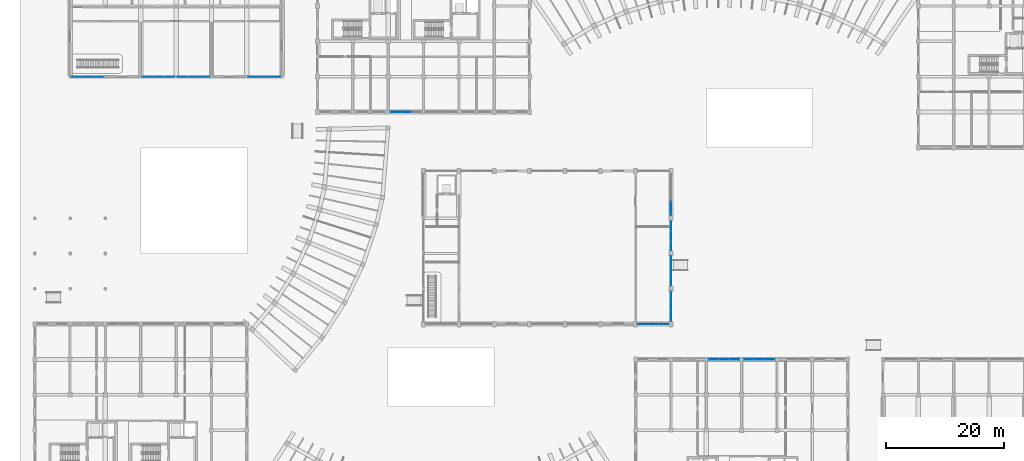
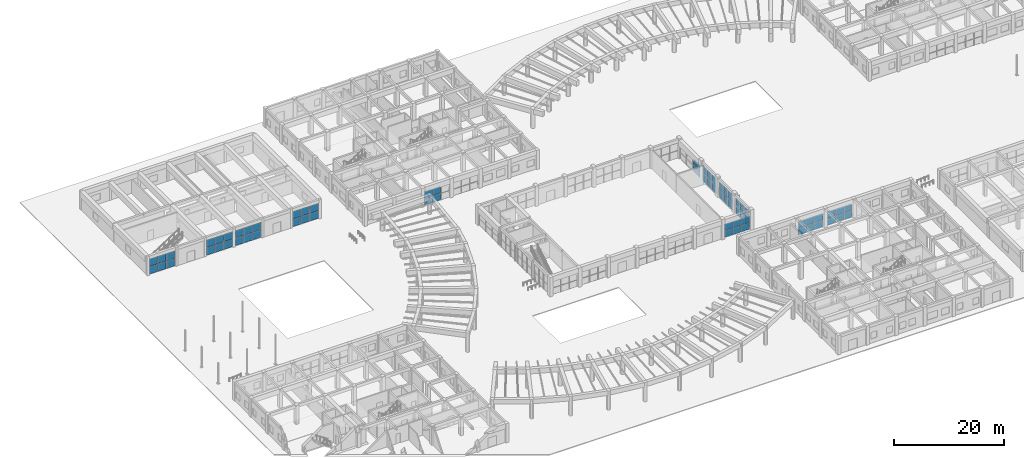
# One storey, part 41 of 76: 66 plates, 12 elements without a shape of their own.
"""IFC4 building model written with IfcOpenShell, lengths in metres."""

from ifc_helpers import new_model, si_unit, direction, frame, origin, origin_2d, place, context, subcontext, project, spatial, rectangle, extrude, material, layer, layer_set, type_object, element, aggregate, save


model = new_model("IFC4")

# Units and contexts
model_context = context("Model", 3, precision=1e-05, world=origin(), true_north=direction((0.0, 1.0)))
body_context = subcontext(model_context, "Body", "Model", "MODEL_VIEW")
ifc_project = project(units=[si_unit("LENGTHUNIT", "METRE"), si_unit("AREAUNIT", "SQUARE_METRE"), si_unit("VOLUMEUNIT", "CUBIC_METRE"), si_unit("PLANEANGLEUNIT", "RADIAN"), si_unit("MASSUNIT", "GRAM", prefix="KILO"), si_unit("POWERUNIT", "WATT"), si_unit("THERMODYNAMICTEMPERATUREUNIT", "KELVIN")], contexts=[model_context])

# Site, building, storey
site_placement = place(None, origin())
site = spatial("IfcSite", under=ifc_project, at=site_placement, CompositionType="ELEMENT")
building_placement = place(site_placement, origin())
building = spatial("IfcBuilding", under=site, at=building_placement, Name="Ruvembo Vaulted Housing Court", CompositionType="ELEMENT")
storey_placement = place(building_placement, origin())
storey = spatial("IfcBuildingStorey", under=building, at=storey_placement, Name="L00", CompositionType="ELEMENT", Elevation=0.0)

# Curtain wall, plates
ifc_material_1 = material(Name="Anodised Aluminium and Solar-Control Glass", Category="aluminium")
ifc_layer_1 = layer(ifc_material_1, 0.159912109375, Name="Anodised Aluminium and Solar-Control Glass")
ifc_layer_set_1 = layer_set([ifc_layer_1], Name="Anodised Aluminium and Solar-Control Glass")
curtain_wall_type_1 = type_object("IfcCurtainWallType", Name="CW-LOBBY", PredefinedType="NOTDEFINED", material=ifc_layer_set_1)
curtain_wall_1_placement = place(storey_placement, origin())
curtain_wall_1 = element("IfcCurtainWall", 1, at=curtain_wall_1_placement, inside=storey, type_object=curtain_wall_type_1, Name="L00 Curtain Wall CW-L00-0003", PredefinedType="NOTDEFINED")
ifc_material_2 = material(Name="Solar-Control Laminated Insulating Glass", Category="glass")
ifc_layer_2 = layer(ifc_material_2, 0.035888671875, Name="Solar-Control Laminated Insulating Glass")
ifc_layer_set_2 = layer_set([ifc_layer_2], Name="Solar-Control Laminated Insulating Glass")
plate_type_1 = type_object("IfcPlateType", Name="CW-PANEL-ACOUST", PredefinedType="CURTAIN_PANEL", material=ifc_layer_set_2)
plate_1_placement = place(storey_placement, frame((61.2470703125, 78.0, 0.06005859375), z_axis=(0.0, 0.0, 1.0), x_axis=(1.0, 0.0, 0.0)))
plate_1 = element("IfcPlate", 2, at=plate_1_placement, type_object=plate_type_1, Name="CW5 panel 1.1", PredefinedType="CURTAIN_PANEL", context=body_context, shape_type="SweptSolid", body=[
    extrude(rectangle(XDim=1.68408203125, YDim=0.035888671875, at=origin_2d()), origin(), (0.0, 0.0, 1.0), 1.466064453125),
])
plate_2_placement = place(storey_placement, frame((61.2470703125, 78.0, 1.5859375), z_axis=(0.0, 0.0, 1.0), x_axis=(1.0, 0.0, 0.0)))
plate_2 = element("IfcPlate", 3, at=plate_2_placement, type_object=plate_type_1, Name="CW5 panel 1.2", PredefinedType="CURTAIN_PANEL", context=body_context, shape_type="SweptSolid", body=[
    extrude(rectangle(XDim=1.68408203125, YDim=0.035888671875, at=origin_2d()), origin(), (0.0, 0.0, 1.0), 1.466064453125),
])
plate_3_placement = place(storey_placement, frame((63.0, 78.0, 0.06005859375), z_axis=(0.0, 0.0, 1.0), x_axis=(1.0, 0.0, 0.0)))
plate_3 = element("IfcPlate", 4, at=plate_3_placement, type_object=plate_type_1, Name="CW5 panel 2.1", PredefinedType="CURTAIN_PANEL", context=body_context, shape_type="SweptSolid", body=[
    extrude(rectangle(XDim=1.711669921875, YDim=0.035888671875, at=origin_2d()), origin(), (0.0, 0.0, 1.0), 1.466064453125),
])
plate_4_placement = place(storey_placement, frame((63.0, 78.0, 1.5859375), z_axis=(0.0, 0.0, 1.0), x_axis=(1.0, 0.0, 0.0)))
plate_4 = element("IfcPlate", 5, at=plate_4_placement, type_object=plate_type_1, Name="CW5 panel 2.2", PredefinedType="CURTAIN_PANEL", context=body_context, shape_type="SweptSolid", body=[
    extrude(rectangle(XDim=1.711669921875, YDim=0.035888671875, at=origin_2d()), origin(), (0.0, 0.0, 1.0), 1.466064453125),
])
aggregate(curtain_wall_1, [plate_1, plate_2, plate_3, plate_4])

curtain_wall_2_placement = place(storey_placement, origin())
curtain_wall_2 = element("IfcCurtainWall", 6, at=curtain_wall_2_placement, inside=storey, type_object=curtain_wall_type_1, Name="L00 Curtain Wall CW-L00-0006", PredefinedType="NOTDEFINED")
plate_5_placement = place(storey_placement, frame((118.75048828125, 36.0, 0.06005859375), z_axis=(0.0, 0.0, 1.0), x_axis=(-1.0, 0.0, 0.0)))
plate_5 = element("IfcPlate", 7, at=plate_5_placement, type_object=plate_type_1, Name="CW5 panel 1.1", PredefinedType="CURTAIN_PANEL", context=body_context, shape_type="SweptSolid", body=[
    extrude(rectangle(XDim=1.669189453125, YDim=0.035888671875, at=origin_2d()), origin(), (0.0, 0.0, 1.0), 1.466064453125),
])
plate_6_placement = place(storey_placement, frame((118.75048828125, 36.0, 1.5859375), z_axis=(0.0, 0.0, 1.0), x_axis=(-1.0, 0.0, 0.0)))
plate_6 = element("IfcPlate", 8, at=plate_6_placement, type_object=plate_type_1, Name="CW5 panel 1.2", PredefinedType="CURTAIN_PANEL", context=body_context, shape_type="SweptSolid", body=[
    extrude(rectangle(XDim=1.669189453125, YDim=0.035888671875, at=origin_2d()), origin(), (0.0, 0.0, 1.0), 1.466064453125),
])
plate_7_placement = place(storey_placement, frame((117.0, 36.0, 0.06005859375), z_axis=(0.0, 0.0, 1.0), x_axis=(-1.0, 0.0, 0.0)))
plate_7 = element("IfcPlate", 9, at=plate_7_placement, type_object=plate_type_1, Name="CW5 panel 2.1", PredefinedType="CURTAIN_PANEL", context=body_context, shape_type="SweptSolid", body=[
    extrude(rectangle(XDim=1.70166015625, YDim=0.035888671875, at=origin_2d()), origin(), (0.0, 0.0, 1.0), 1.466064453125),
])
plate_8_placement = place(storey_placement, frame((117.0, 36.0, 1.5859375), z_axis=(0.0, 0.0, 1.0), x_axis=(-1.0, 0.0, 0.0)))
plate_8 = element("IfcPlate", 10, at=plate_8_placement, type_object=plate_type_1, Name="CW5 panel 2.2", PredefinedType="CURTAIN_PANEL", context=body_context, shape_type="SweptSolid", body=[
    extrude(rectangle(XDim=1.70166015625, YDim=0.035888671875, at=origin_2d()), origin(), (0.0, 0.0, 1.0), 1.466064453125),
])
plate_9_placement = place(storey_placement, frame((115.24951171875, 36.0, 0.06005859375), z_axis=(0.0, 0.0, 1.0), x_axis=(-1.0, 0.0, 0.0)))
plate_9 = element("IfcPlate", 11, at=plate_9_placement, type_object=plate_type_1, Name="CW5 panel 3.1", PredefinedType="CURTAIN_PANEL", context=body_context, shape_type="SweptSolid", body=[
    extrude(rectangle(XDim=1.669189453125, YDim=0.035888671875, at=origin_2d()), origin(), (0.0, 0.0, 1.0), 1.466064453125),
])
plate_10_placement = place(storey_placement, frame((115.24951171875, 36.0, 1.5859375), z_axis=(0.0, 0.0, 1.0), x_axis=(-1.0, 0.0, 0.0)))
plate_10 = element("IfcPlate", 12, at=plate_10_placement, type_object=plate_type_1, Name="CW5 panel 3.2", PredefinedType="CURTAIN_PANEL", context=body_context, shape_type="SweptSolid", body=[
    extrude(rectangle(XDim=1.669189453125, YDim=0.035888671875, at=origin_2d()), origin(), (0.0, 0.0, 1.0), 1.466064453125),
])
aggregate(curtain_wall_2, [plate_5, plate_6, plate_7, plate_8, plate_9, plate_10])

ifc_layer_3 = layer(ifc_material_1, 0.179931640625, Name="Anodised Aluminium and Solar-Control Glass")
ifc_layer_set_3 = layer_set([ifc_layer_3], Name="Anodised Aluminium and Solar-Control Glass")
curtain_wall_type_2 = type_object("IfcCurtainWallType", Name="CW-HALL-TYMP", PredefinedType="NOTDEFINED", material=ifc_layer_set_3)
curtain_wall_3_placement = place(storey_placement, origin())
curtain_wall_3 = element("IfcCurtainWall", 13, at=curtain_wall_3_placement, inside=storey, type_object=curtain_wall_type_2, Name="L00 Curtain Wall CW-L00-0123", PredefinedType="NOTDEFINED")
plate_11_placement = place(storey_placement, frame((108.0, 49.313720703125, 0.06005859375), z_axis=(0.0, 0.0, 1.0), x_axis=(0.0, 1.0, 0.0)))
plate_11 = element("IfcPlate", 14, at=plate_11_placement, type_object=plate_type_1, Name="CW2 panel 1.1", PredefinedType="CURTAIN_PANEL", context=body_context, shape_type="SweptSolid", body=[
    extrude(rectangle(XDim=1.617431640625, YDim=0.035888671875, at=origin_2d()), origin(), (0.0, 0.0, 1.0), 1.69091796875),
])
plate_12_placement = place(storey_placement, frame((108.0, 49.313720703125, 1.81103515625), z_axis=(0.0, 0.0, 1.0), x_axis=(0.0, 1.0, 0.0)))
plate_12 = element("IfcPlate", 15, at=plate_12_placement, type_object=plate_type_1, Name="CW2 panel 1.2", PredefinedType="CURTAIN_PANEL", context=body_context, shape_type="SweptSolid", body=[
    extrude(rectangle(XDim=1.617431640625, YDim=0.035888671875, at=origin_2d()), origin(), (0.0, 0.0, 1.0), 1.69091796875),
])
plate_13_placement = place(storey_placement, frame((108.0, 51.0, 0.06005859375), z_axis=(0.0, 0.0, 1.0), x_axis=(0.0, 1.0, 0.0)))
plate_13 = element("IfcPlate", 16, at=plate_13_placement, type_object=plate_type_1, Name="CW2 panel 2.1", PredefinedType="CURTAIN_PANEL", context=body_context, shape_type="SweptSolid", body=[
    extrude(rectangle(XDim=1.64501953125, YDim=0.035888671875, at=origin_2d()), origin(), (0.0, 0.0, 1.0), 1.69091796875),
])
plate_14_placement = place(storey_placement, frame((108.0, 51.0, 1.81103515625), z_axis=(0.0, 0.0, 1.0), x_axis=(0.0, 1.0, 0.0)))
plate_14 = element("IfcPlate", 17, at=plate_14_placement, type_object=plate_type_1, Name="CW2 panel 2.2", PredefinedType="CURTAIN_PANEL", context=body_context, shape_type="SweptSolid", body=[
    extrude(rectangle(XDim=1.64501953125, YDim=0.035888671875, at=origin_2d()), origin(), (0.0, 0.0, 1.0), 1.69091796875),
])
plate_15_placement = place(storey_placement, frame((108.0, 52.686279296875, 0.06005859375), z_axis=(0.0, 0.0, 1.0), x_axis=(0.0, 1.0, 0.0)))
plate_15 = element("IfcPlate", 18, at=plate_15_placement, type_object=plate_type_1, Name="CW2 panel 3.1", PredefinedType="CURTAIN_PANEL", context=body_context, shape_type="SweptSolid", body=[
    extrude(rectangle(XDim=1.617431640625, YDim=0.035888671875, at=origin_2d()), origin(), (0.0, 0.0, 1.0), 1.69091796875),
])
plate_16_placement = place(storey_placement, frame((108.0, 52.686279296875, 1.81103515625), z_axis=(0.0, 0.0, 1.0), x_axis=(0.0, 1.0, 0.0)))
plate_16 = element("IfcPlate", 19, at=plate_16_placement, type_object=plate_type_1, Name="CW2 panel 3.2", PredefinedType="CURTAIN_PANEL", context=body_context, shape_type="SweptSolid", body=[
    extrude(rectangle(XDim=1.617431640625, YDim=0.035888671875, at=origin_2d()), origin(), (0.0, 0.0, 1.0), 1.69091796875),
])
aggregate(curtain_wall_3, [plate_11, plate_12, plate_13, plate_14, plate_15, plate_16])

ifc_layer_4 = layer(ifc_material_1, 0.139892578125, Name="Anodised Aluminium and Solar-Control Glass")
ifc_layer_set_4 = layer_set([ifc_layer_4], Name="Anodised Aluminium and Solar-Control Glass")
curtain_wall_type_3 = type_object("IfcCurtainWallType", Name="CW-NURSERY-G", PredefinedType="NOTDEFINED", material=ifc_layer_set_4)
curtain_wall_4_placement = place(storey_placement, origin())
curtain_wall_4 = element("IfcCurtainWall", 20, at=curtain_wall_4_placement, inside=storey, type_object=curtain_wall_type_3, Name="L00 Curtain Wall CW-L00-0129", PredefinedType="NOTDEFINED")
plate_17_placement = place(storey_placement, frame((7.1650390625, 84.0, 0.06005859375), z_axis=(0.0, 0.0, 1.0), x_axis=(1.0, 0.0, 0.0)))
plate_17 = element("IfcPlate", 21, at=plate_17_placement, type_object=plate_type_1, Name="CW4 panel 1.1", PredefinedType="CURTAIN_PANEL", context=body_context, shape_type="SweptSolid", body=[
    extrude(rectangle(XDim=1.760009765625, YDim=0.035888671875, at=origin_2d()), origin(), (0.0, 0.0, 1.0), 1.666015625),
])
plate_18_placement = place(storey_placement, frame((7.1650390625, 84.0, 1.785888671875), z_axis=(0.0, 0.0, 1.0), x_axis=(1.0, 0.0, 0.0)))
plate_18 = element("IfcPlate", 22, at=plate_18_placement, type_object=plate_type_1, Name="CW4 panel 1.2", PredefinedType="CURTAIN_PANEL", context=body_context, shape_type="SweptSolid", body=[
    extrude(rectangle(XDim=1.760009765625, YDim=0.035888671875, at=origin_2d()), origin(), (0.0, 0.0, 1.0), 1.666015625),
])
plate_19_placement = place(storey_placement, frame((9.0, 84.0, 0.06005859375), z_axis=(0.0, 0.0, 1.0), x_axis=(1.0, 0.0, 0.0)))
plate_19 = element("IfcPlate", 23, at=plate_19_placement, type_object=plate_type_1, Name="CW4 panel 2.1", PredefinedType="CURTAIN_PANEL", context=body_context, shape_type="SweptSolid", body=[
    extrude(rectangle(XDim=1.7900390625, YDim=0.035888671875, at=origin_2d()), origin(), (0.0, 0.0, 1.0), 1.666015625),
])
plate_20_placement = place(storey_placement, frame((9.0, 84.0, 1.785888671875), z_axis=(0.0, 0.0, 1.0), x_axis=(1.0, 0.0, 0.0)))
plate_20 = element("IfcPlate", 24, at=plate_20_placement, type_object=plate_type_1, Name="CW4 panel 2.2", PredefinedType="CURTAIN_PANEL", context=body_context, shape_type="SweptSolid", body=[
    extrude(rectangle(XDim=1.7900390625, YDim=0.035888671875, at=origin_2d()), origin(), (0.0, 0.0, 1.0), 1.666015625),
])
plate_21_placement = place(storey_placement, frame((10.8349609375, 84.0, 0.06005859375), z_axis=(0.0, 0.0, 1.0), x_axis=(1.0, 0.0, 0.0)))
plate_21 = element("IfcPlate", 25, at=plate_21_placement, type_object=plate_type_1, Name="CW4 panel 3.1", PredefinedType="CURTAIN_PANEL", context=body_context, shape_type="SweptSolid", body=[
    extrude(rectangle(XDim=1.760009765625, YDim=0.035888671875, at=origin_2d()), origin(), (0.0, 0.0, 1.0), 1.666015625),
])
plate_22_placement = place(storey_placement, frame((10.8349609375, 84.0, 1.785888671875), z_axis=(0.0, 0.0, 1.0), x_axis=(1.0, 0.0, 0.0)))
plate_22 = element("IfcPlate", 26, at=plate_22_placement, type_object=plate_type_1, Name="CW4 panel 3.2", PredefinedType="CURTAIN_PANEL", context=body_context, shape_type="SweptSolid", body=[
    extrude(rectangle(XDim=1.760009765625, YDim=0.035888671875, at=origin_2d()), origin(), (0.0, 0.0, 1.0), 1.666015625),
])
aggregate(curtain_wall_4, [plate_17, plate_18, plate_19, plate_20, plate_21, plate_22])

curtain_wall_5_placement = place(storey_placement, origin())
curtain_wall_5 = element("IfcCurtainWall", 27, at=curtain_wall_5_placement, inside=storey, type_object=curtain_wall_type_3, Name="L00 Curtain Wall CW-L00-0132", PredefinedType="NOTDEFINED")
plate_23_placement = place(storey_placement, frame((19.1650390625, 84.0, 0.06005859375), z_axis=(0.0, 0.0, 1.0), x_axis=(1.0, 0.0, 0.0)))
plate_23 = element("IfcPlate", 28, at=plate_23_placement, type_object=plate_type_1, Name="CW4 panel 1.1", PredefinedType="CURTAIN_PANEL", context=body_context, shape_type="SweptSolid", body=[
    extrude(rectangle(XDim=1.760009765625, YDim=0.035888671875, at=origin_2d()), origin(), (0.0, 0.0, 1.0), 1.666015625),
])
plate_24_placement = place(storey_placement, frame((19.1650390625, 84.0, 1.785888671875), z_axis=(0.0, 0.0, 1.0), x_axis=(1.0, 0.0, 0.0)))
plate_24 = element("IfcPlate", 29, at=plate_24_placement, type_object=plate_type_1, Name="CW4 panel 1.2", PredefinedType="CURTAIN_PANEL", context=body_context, shape_type="SweptSolid", body=[
    extrude(rectangle(XDim=1.760009765625, YDim=0.035888671875, at=origin_2d()), origin(), (0.0, 0.0, 1.0), 1.666015625),
])
plate_25_placement = place(storey_placement, frame((21.0, 84.0, 0.06005859375), z_axis=(0.0, 0.0, 1.0), x_axis=(1.0, 0.0, 0.0)))
plate_25 = element("IfcPlate", 30, at=plate_25_placement, type_object=plate_type_1, Name="CW4 panel 2.1", PredefinedType="CURTAIN_PANEL", context=body_context, shape_type="SweptSolid", body=[
    extrude(rectangle(XDim=1.7900390625, YDim=0.035888671875, at=origin_2d()), origin(), (0.0, 0.0, 1.0), 1.666015625),
])
plate_26_placement = place(storey_placement, frame((21.0, 84.0, 1.785888671875), z_axis=(0.0, 0.0, 1.0), x_axis=(1.0, 0.0, 0.0)))
plate_26 = element("IfcPlate", 31, at=plate_26_placement, type_object=plate_type_1, Name="CW4 panel 2.2", PredefinedType="CURTAIN_PANEL", context=body_context, shape_type="SweptSolid", body=[
    extrude(rectangle(XDim=1.7900390625, YDim=0.035888671875, at=origin_2d()), origin(), (0.0, 0.0, 1.0), 1.666015625),
])
plate_27_placement = place(storey_placement, frame((22.8349609375, 84.0, 0.06005859375), z_axis=(0.0, 0.0, 1.0), x_axis=(1.0, 0.0, 0.0)))
plate_27 = element("IfcPlate", 32, at=plate_27_placement, type_object=plate_type_1, Name="CW4 panel 3.1", PredefinedType="CURTAIN_PANEL", context=body_context, shape_type="SweptSolid", body=[
    extrude(rectangle(XDim=1.760009765625, YDim=0.035888671875, at=origin_2d()), origin(), (0.0, 0.0, 1.0), 1.666015625),
])
plate_28_placement = place(storey_placement, frame((22.8349609375, 84.0, 1.785888671875), z_axis=(0.0, 0.0, 1.0), x_axis=(1.0, 0.0, 0.0)))
plate_28 = element("IfcPlate", 33, at=plate_28_placement, type_object=plate_type_1, Name="CW4 panel 3.2", PredefinedType="CURTAIN_PANEL", context=body_context, shape_type="SweptSolid", body=[
    extrude(rectangle(XDim=1.760009765625, YDim=0.035888671875, at=origin_2d()), origin(), (0.0, 0.0, 1.0), 1.666015625),
])
aggregate(curtain_wall_5, [plate_23, plate_24, plate_25, plate_26, plate_27, plate_28])

curtain_wall_6_placement = place(storey_placement, origin())
curtain_wall_6 = element("IfcCurtainWall", 34, at=curtain_wall_6_placement, inside=storey, type_object=curtain_wall_type_1, Name="L00 Curtain Wall CW-L00-0005", PredefinedType="NOTDEFINED")
ifc_layer_5 = layer(ifc_material_2, 0.028076171875, Name="Solar-Control Laminated Insulating Glass")
ifc_layer_set_5 = layer_set([ifc_layer_5], Name="Solar-Control Laminated Insulating Glass")
plate_type_2 = type_object("IfcPlateType", Name="CW-PANEL-GLAZED", PredefinedType="CURTAIN_PANEL", material=ifc_layer_set_5)
plate_29_placement = place(storey_placement, frame((124.751708984375, 36.0, 0.06005859375), z_axis=(0.0, 0.0, 1.0), x_axis=(-1.0, 0.0, 0.0)))
plate_29 = element("IfcPlate", 35, at=plate_29_placement, type_object=plate_type_2, Name="CW5 panel 1.1", PredefinedType="CURTAIN_PANEL", context=body_context, shape_type="SweptSolid", body=[
    extrude(rectangle(XDim=1.6767578125, YDim=0.028076171875, at=origin_2d()), origin(), (0.0, 0.0, 1.0), 1.466064453125),
])
plate_30_placement = place(storey_placement, frame((124.751708984375, 36.0, 1.5859375), z_axis=(0.0, 0.0, 1.0), x_axis=(-1.0, 0.0, 0.0)))
plate_30 = element("IfcPlate", 36, at=plate_30_placement, type_object=plate_type_2, Name="CW5 panel 1.2", PredefinedType="CURTAIN_PANEL", context=body_context, shape_type="SweptSolid", body=[
    extrude(rectangle(XDim=1.6767578125, YDim=0.028076171875, at=origin_2d()), origin(), (0.0, 0.0, 1.0), 1.466064453125),
])
plate_31_placement = place(storey_placement, frame((123.0, 36.0, 0.06005859375), z_axis=(0.0, 0.0, 1.0), x_axis=(-1.0, 0.0, 0.0)))
plate_31 = element("IfcPlate", 37, at=plate_31_placement, type_object=plate_type_2, Name="CW5 panel 2.1", PredefinedType="CURTAIN_PANEL", context=body_context, shape_type="SweptSolid", body=[
    extrude(rectangle(XDim=1.706787109375, YDim=0.028076171875, at=origin_2d()), origin(), (0.0, 0.0, 1.0), 1.466064453125),
])
plate_32_placement = place(storey_placement, frame((123.0, 36.0, 1.5859375), z_axis=(0.0, 0.0, 1.0), x_axis=(-1.0, 0.0, 0.0)))
plate_32 = element("IfcPlate", 38, at=plate_32_placement, type_object=plate_type_2, Name="CW5 panel 2.2", PredefinedType="CURTAIN_PANEL", context=body_context, shape_type="SweptSolid", body=[
    extrude(rectangle(XDim=1.706787109375, YDim=0.028076171875, at=origin_2d()), origin(), (0.0, 0.0, 1.0), 1.466064453125),
])
plate_33_placement = place(storey_placement, frame((121.248291015625, 36.0, 0.06005859375), z_axis=(0.0, 0.0, 1.0), x_axis=(-1.0, 0.0, 0.0)))
plate_33 = element("IfcPlate", 39, at=plate_33_placement, type_object=plate_type_2, Name="CW5 panel 3.1", PredefinedType="CURTAIN_PANEL", context=body_context, shape_type="SweptSolid", body=[
    extrude(rectangle(XDim=1.6767578125, YDim=0.028076171875, at=origin_2d()), origin(), (0.0, 0.0, 1.0), 1.466064453125),
])
plate_34_placement = place(storey_placement, frame((121.248291015625, 36.0, 1.5859375), z_axis=(0.0, 0.0, 1.0), x_axis=(-1.0, 0.0, 0.0)))
plate_34 = element("IfcPlate", 40, at=plate_34_placement, type_object=plate_type_2, Name="CW5 panel 3.2", PredefinedType="CURTAIN_PANEL", context=body_context, shape_type="SweptSolid", body=[
    extrude(rectangle(XDim=1.6767578125, YDim=0.028076171875, at=origin_2d()), origin(), (0.0, 0.0, 1.0), 1.466064453125),
])
aggregate(curtain_wall_6, [plate_29, plate_30, plate_31, plate_32, plate_33, plate_34])

curtain_wall_7_placement = place(storey_placement, origin())
curtain_wall_7 = element("IfcCurtainWall", 41, at=curtain_wall_7_placement, inside=storey, type_object=curtain_wall_type_2, Name="L00 Curtain Wall CW-L00-0125", PredefinedType="NOTDEFINED")
plate_35_placement = place(storey_placement, frame((108.0, 55.31494140625, 0.06005859375), z_axis=(0.0, 0.0, 1.0), x_axis=(0.0, 1.0, 0.0)))
plate_35 = element("IfcPlate", 42, at=plate_35_placement, type_object=plate_type_2, Name="CW2 panel 1.1", PredefinedType="CURTAIN_PANEL", context=body_context, shape_type="SweptSolid", body=[
    extrude(rectangle(XDim=1.610107421875, YDim=0.028076171875, at=origin_2d()), origin(), (0.0, 0.0, 1.0), 1.69091796875),
])
plate_36_placement = place(storey_placement, frame((108.0, 55.31494140625, 1.81103515625), z_axis=(0.0, 0.0, 1.0), x_axis=(0.0, 1.0, 0.0)))
plate_36 = element("IfcPlate", 43, at=plate_36_placement, type_object=plate_type_2, Name="CW2 panel 1.2", PredefinedType="CURTAIN_PANEL", context=body_context, shape_type="SweptSolid", body=[
    extrude(rectangle(XDim=1.610107421875, YDim=0.028076171875, at=origin_2d()), origin(), (0.0, 0.0, 1.0), 1.69091796875),
])
plate_37_placement = place(storey_placement, frame((108.0, 57.0, 0.06005859375), z_axis=(0.0, 0.0, 1.0), x_axis=(0.0, 1.0, 0.0)))
plate_37 = element("IfcPlate", 44, at=plate_37_placement, type_object=plate_type_2, Name="CW2 panel 2.1", PredefinedType="CURTAIN_PANEL", context=body_context, shape_type="SweptSolid", body=[
    extrude(rectangle(XDim=1.639892578125, YDim=0.028076171875, at=origin_2d()), origin(), (0.0, 0.0, 1.0), 1.69091796875),
])
plate_38_placement = place(storey_placement, frame((108.0, 57.0, 1.81103515625), z_axis=(0.0, 0.0, 1.0), x_axis=(0.0, 1.0, 0.0)))
plate_38 = element("IfcPlate", 45, at=plate_38_placement, type_object=plate_type_2, Name="CW2 panel 2.2", PredefinedType="CURTAIN_PANEL", context=body_context, shape_type="SweptSolid", body=[
    extrude(rectangle(XDim=1.639892578125, YDim=0.028076171875, at=origin_2d()), origin(), (0.0, 0.0, 1.0), 1.69091796875),
])
plate_39_placement = place(storey_placement, frame((108.0, 58.68505859375, 0.06005859375), z_axis=(0.0, 0.0, 1.0), x_axis=(0.0, 1.0, 0.0)))
plate_39 = element("IfcPlate", 46, at=plate_39_placement, type_object=plate_type_2, Name="CW2 panel 3.1", PredefinedType="CURTAIN_PANEL", context=body_context, shape_type="SweptSolid", body=[
    extrude(rectangle(XDim=1.610107421875, YDim=0.028076171875, at=origin_2d()), origin(), (0.0, 0.0, 1.0), 1.69091796875),
])
plate_40_placement = place(storey_placement, frame((108.0, 58.68505859375, 1.81103515625), z_axis=(0.0, 0.0, 1.0), x_axis=(0.0, 1.0, 0.0)))
plate_40 = element("IfcPlate", 47, at=plate_40_placement, type_object=plate_type_2, Name="CW2 panel 3.2", PredefinedType="CURTAIN_PANEL", context=body_context, shape_type="SweptSolid", body=[
    extrude(rectangle(XDim=1.610107421875, YDim=0.028076171875, at=origin_2d()), origin(), (0.0, 0.0, 1.0), 1.69091796875),
])
aggregate(curtain_wall_7, [plate_35, plate_36, plate_37, plate_38, plate_39, plate_40])

curtain_wall_8_placement = place(storey_placement, origin())
curtain_wall_8 = element("IfcCurtainWall", 48, at=curtain_wall_8_placement, inside=storey, type_object=curtain_wall_type_3, Name="L00 Curtain Wall CW-L00-0134", PredefinedType="NOTDEFINED")
plate_41_placement = place(storey_placement, frame((25.166259765625, 84.0, 0.06005859375), z_axis=(0.0, 0.0, 1.0), x_axis=(1.0, 0.0, 0.0)))
plate_41 = element("IfcPlate", 49, at=plate_41_placement, type_object=plate_type_2, Name="CW4 panel 1.1", PredefinedType="CURTAIN_PANEL", context=body_context, shape_type="SweptSolid", body=[
    extrude(rectangle(XDim=1.75244140625, YDim=0.028076171875, at=origin_2d()), origin(), (0.0, 0.0, 1.0), 1.666015625),
])
plate_42_placement = place(storey_placement, frame((25.166259765625, 84.0, 1.785888671875), z_axis=(0.0, 0.0, 1.0), x_axis=(1.0, 0.0, 0.0)))
plate_42 = element("IfcPlate", 50, at=plate_42_placement, type_object=plate_type_2, Name="CW4 panel 1.2", PredefinedType="CURTAIN_PANEL", context=body_context, shape_type="SweptSolid", body=[
    extrude(rectangle(XDim=1.75244140625, YDim=0.028076171875, at=origin_2d()), origin(), (0.0, 0.0, 1.0), 1.666015625),
])
plate_43_placement = place(storey_placement, frame((27.0, 84.0, 0.06005859375), z_axis=(0.0, 0.0, 1.0), x_axis=(1.0, 0.0, 0.0)))
plate_43 = element("IfcPlate", 51, at=plate_43_placement, type_object=plate_type_2, Name="CW4 panel 2.1", PredefinedType="CURTAIN_PANEL", context=body_context, shape_type="SweptSolid", body=[
    extrude(rectangle(XDim=1.784912109375, YDim=0.028076171875, at=origin_2d()), origin(), (0.0, 0.0, 1.0), 1.666015625),
])
plate_44_placement = place(storey_placement, frame((27.0, 84.0, 1.785888671875), z_axis=(0.0, 0.0, 1.0), x_axis=(1.0, 0.0, 0.0)))
plate_44 = element("IfcPlate", 52, at=plate_44_placement, type_object=plate_type_2, Name="CW4 panel 2.2", PredefinedType="CURTAIN_PANEL", context=body_context, shape_type="SweptSolid", body=[
    extrude(rectangle(XDim=1.784912109375, YDim=0.028076171875, at=origin_2d()), origin(), (0.0, 0.0, 1.0), 1.666015625),
])
plate_45_placement = place(storey_placement, frame((28.833740234375, 84.0, 0.06005859375), z_axis=(0.0, 0.0, 1.0), x_axis=(1.0, 0.0, 0.0)))
plate_45 = element("IfcPlate", 53, at=plate_45_placement, type_object=plate_type_2, Name="CW4 panel 3.1", PredefinedType="CURTAIN_PANEL", context=body_context, shape_type="SweptSolid", body=[
    extrude(rectangle(XDim=1.75244140625, YDim=0.028076171875, at=origin_2d()), origin(), (0.0, 0.0, 1.0), 1.666015625),
])
plate_46_placement = place(storey_placement, frame((28.833740234375, 84.0, 1.785888671875), z_axis=(0.0, 0.0, 1.0), x_axis=(1.0, 0.0, 0.0)))
plate_46 = element("IfcPlate", 54, at=plate_46_placement, type_object=plate_type_2, Name="CW4 panel 3.2", PredefinedType="CURTAIN_PANEL", context=body_context, shape_type="SweptSolid", body=[
    extrude(rectangle(XDim=1.75244140625, YDim=0.028076171875, at=origin_2d()), origin(), (0.0, 0.0, 1.0), 1.666015625),
])
aggregate(curtain_wall_8, [plate_41, plate_42, plate_43, plate_44, plate_45, plate_46])

curtain_wall_9_placement = place(storey_placement, origin())
curtain_wall_9 = element("IfcCurtainWall", 55, at=curtain_wall_9_placement, inside=storey, type_object=curtain_wall_type_3, Name="L00 Curtain Wall CW-L00-0137", PredefinedType="NOTDEFINED")
plate_47_placement = place(storey_placement, frame((37.1650390625, 84.0, 0.06005859375), z_axis=(0.0, 0.0, 1.0), x_axis=(1.0, 0.0, 0.0)))
plate_47 = element("IfcPlate", 56, at=plate_47_placement, type_object=plate_type_2, Name="CW4 panel 1.1", PredefinedType="CURTAIN_PANEL", context=body_context, shape_type="SweptSolid", body=[
    extrude(rectangle(XDim=1.760009765625, YDim=0.028076171875, at=origin_2d()), origin(), (0.0, 0.0, 1.0), 1.666015625),
])
plate_48_placement = place(storey_placement, frame((37.1650390625, 84.0, 1.785888671875), z_axis=(0.0, 0.0, 1.0), x_axis=(1.0, 0.0, 0.0)))
plate_48 = element("IfcPlate", 57, at=plate_48_placement, type_object=plate_type_2, Name="CW4 panel 1.2", PredefinedType="CURTAIN_PANEL", context=body_context, shape_type="SweptSolid", body=[
    extrude(rectangle(XDim=1.760009765625, YDim=0.028076171875, at=origin_2d()), origin(), (0.0, 0.0, 1.0), 1.666015625),
])
plate_49_placement = place(storey_placement, frame((39.0, 84.0, 0.06005859375), z_axis=(0.0, 0.0, 1.0), x_axis=(1.0, 0.0, 0.0)))
plate_49 = element("IfcPlate", 58, at=plate_49_placement, type_object=plate_type_2, Name="CW4 panel 2.1", PredefinedType="CURTAIN_PANEL", context=body_context, shape_type="SweptSolid", body=[
    extrude(rectangle(XDim=1.7900390625, YDim=0.028076171875, at=origin_2d()), origin(), (0.0, 0.0, 1.0), 1.666015625),
])
plate_50_placement = place(storey_placement, frame((39.0, 84.0, 1.785888671875), z_axis=(0.0, 0.0, 1.0), x_axis=(1.0, 0.0, 0.0)))
plate_50 = element("IfcPlate", 59, at=plate_50_placement, type_object=plate_type_2, Name="CW4 panel 2.2", PredefinedType="CURTAIN_PANEL", context=body_context, shape_type="SweptSolid", body=[
    extrude(rectangle(XDim=1.7900390625, YDim=0.028076171875, at=origin_2d()), origin(), (0.0, 0.0, 1.0), 1.666015625),
])
plate_51_placement = place(storey_placement, frame((40.8349609375, 84.0, 0.06005859375), z_axis=(0.0, 0.0, 1.0), x_axis=(1.0, 0.0, 0.0)))
plate_51 = element("IfcPlate", 60, at=plate_51_placement, type_object=plate_type_2, Name="CW4 panel 3.1", PredefinedType="CURTAIN_PANEL", context=body_context, shape_type="SweptSolid", body=[
    extrude(rectangle(XDim=1.760009765625, YDim=0.028076171875, at=origin_2d()), origin(), (0.0, 0.0, 1.0), 1.666015625),
])
plate_52_placement = place(storey_placement, frame((40.8349609375, 84.0, 1.785888671875), z_axis=(0.0, 0.0, 1.0), x_axis=(1.0, 0.0, 0.0)))
plate_52 = element("IfcPlate", 61, at=plate_52_placement, type_object=plate_type_2, Name="CW4 panel 3.2", PredefinedType="CURTAIN_PANEL", context=body_context, shape_type="SweptSolid", body=[
    extrude(rectangle(XDim=1.760009765625, YDim=0.028076171875, at=origin_2d()), origin(), (0.0, 0.0, 1.0), 1.666015625),
])
aggregate(curtain_wall_9, [plate_47, plate_48, plate_49, plate_50, plate_51, plate_52])

ifc_layer_6 = layer(ifc_material_1, 0.159912109375, Name="Anodised Aluminium and Solar-Control Glass")
ifc_layer_set_6 = layer_set([ifc_layer_6], Name="Anodised Aluminium and Solar-Control Glass")
curtain_wall_type_4 = type_object("IfcCurtainWallType", Name="CW-HALL-SIDE", PredefinedType="NOTDEFINED", material=ifc_layer_set_6)
curtain_wall_10_placement = place(storey_placement, origin())
curtain_wall_10 = element("IfcCurtainWall", 62, at=curtain_wall_10_placement, inside=storey, type_object=curtain_wall_type_4, Name="L00 Curtain Wall CW-L00-0109", PredefinedType="NOTDEFINED")
ifc_layer_7 = layer(ifc_material_2, 0.031982421875, Name="Solar-Control Laminated Insulating Glass")
ifc_layer_set_7 = layer_set([ifc_layer_7], Name="Solar-Control Laminated Insulating Glass")
plate_type_3 = type_object("IfcPlateType", Name="CW-PANEL-SOLAR", PredefinedType="CURTAIN_PANEL", material=ifc_layer_set_7)
plate_53_placement = place(storey_placement, frame((103.231689453125, 42.0, 0.06494140625), z_axis=(0.0, 0.0, 1.0), x_axis=(1.0, 0.0, 0.0)))
plate_53 = element("IfcPlate", 63, at=plate_53_placement, type_object=plate_type_3, Name="CW1 panel 1.1", PredefinedType="CURTAIN_PANEL", context=body_context, shape_type="SweptSolid", body=[
    extrude(rectangle(XDim=1.693359375, YDim=0.031982421875, at=origin_2d()), origin(), (0.0, 0.0, 1.0), 1.43359375),
])
plate_54_placement = place(storey_placement, frame((103.231689453125, 42.0, 1.5634765625), z_axis=(0.0, 0.0, 1.0), x_axis=(1.0, 0.0, 0.0)))
plate_54 = element("IfcPlate", 64, at=plate_54_placement, type_object=plate_type_3, Name="CW1 panel 1.2", PredefinedType="CURTAIN_PANEL", context=body_context, shape_type="SweptSolid", body=[
    extrude(rectangle(XDim=1.693359375, YDim=0.031982421875, at=origin_2d()), origin(), (0.0, 0.0, 1.0), 1.43359375),
])
plate_55_placement = place(storey_placement, frame((105.0, 42.0, 0.06494140625), z_axis=(0.0, 0.0, 1.0), x_axis=(1.0, 0.0, 0.0)))
plate_55 = element("IfcPlate", 65, at=plate_55_placement, type_object=plate_type_3, Name="CW1 panel 2.1", PredefinedType="CURTAIN_PANEL", context=body_context, shape_type="SweptSolid", body=[
    extrude(rectangle(XDim=1.723388671875, YDim=0.031982421875, at=origin_2d()), origin(), (0.0, 0.0, 1.0), 1.43359375),
])
plate_56_placement = place(storey_placement, frame((105.0, 42.0, 1.5634765625), z_axis=(0.0, 0.0, 1.0), x_axis=(1.0, 0.0, 0.0)))
plate_56 = element("IfcPlate", 66, at=plate_56_placement, type_object=plate_type_3, Name="CW1 panel 2.2", PredefinedType="CURTAIN_PANEL", context=body_context, shape_type="SweptSolid", body=[
    extrude(rectangle(XDim=1.723388671875, YDim=0.031982421875, at=origin_2d()), origin(), (0.0, 0.0, 1.0), 1.43359375),
])
plate_57_placement = place(storey_placement, frame((106.768310546875, 42.0, 0.06494140625), z_axis=(0.0, 0.0, 1.0), x_axis=(1.0, 0.0, 0.0)))
plate_57 = element("IfcPlate", 67, at=plate_57_placement, type_object=plate_type_3, Name="CW1 panel 3.1", PredefinedType="CURTAIN_PANEL", context=body_context, shape_type="SweptSolid", body=[
    extrude(rectangle(XDim=1.693359375, YDim=0.031982421875, at=origin_2d()), origin(), (0.0, 0.0, 1.0), 1.43359375),
])
plate_58_placement = place(storey_placement, frame((106.768310546875, 42.0, 1.5634765625), z_axis=(0.0, 0.0, 1.0), x_axis=(1.0, 0.0, 0.0)))
plate_58 = element("IfcPlate", 68, at=plate_58_placement, type_object=plate_type_3, Name="CW1 panel 3.2", PredefinedType="CURTAIN_PANEL", context=body_context, shape_type="SweptSolid", body=[
    extrude(rectangle(XDim=1.693359375, YDim=0.031982421875, at=origin_2d()), origin(), (0.0, 0.0, 1.0), 1.43359375),
])
aggregate(curtain_wall_10, [plate_53, plate_54, plate_55, plate_56, plate_57, plate_58])

curtain_wall_11_placement = place(storey_placement, origin())
curtain_wall_11 = element("IfcCurtainWall", 69, at=curtain_wall_11_placement, inside=storey, type_object=curtain_wall_type_2, Name="L00 Curtain Wall CW-L00-0121", PredefinedType="NOTDEFINED")
plate_59_placement = place(storey_placement, frame((108.0, 43.31494140625, 0.06494140625), z_axis=(0.0, 0.0, 1.0), x_axis=(0.0, 1.0, 0.0)))
plate_59 = element("IfcPlate", 70, at=plate_59_placement, type_object=plate_type_3, Name="CW2 panel 1.1", PredefinedType="CURTAIN_PANEL", context=body_context, shape_type="SweptSolid", body=[
    extrude(rectangle(XDim=1.610107421875, YDim=0.031982421875, at=origin_2d()), origin(), (0.0, 0.0, 1.0), 1.68359375),
])
plate_60_placement = place(storey_placement, frame((108.0, 43.31494140625, 1.8134765625), z_axis=(0.0, 0.0, 1.0), x_axis=(0.0, 1.0, 0.0)))
plate_60 = element("IfcPlate", 71, at=plate_60_placement, type_object=plate_type_3, Name="CW2 panel 1.2", PredefinedType="CURTAIN_PANEL", context=body_context, shape_type="SweptSolid", body=[
    extrude(rectangle(XDim=1.610107421875, YDim=0.031982421875, at=origin_2d()), origin(), (0.0, 0.0, 1.0), 1.68359375),
])
plate_61_placement = place(storey_placement, frame((108.0, 45.0, 0.06494140625), z_axis=(0.0, 0.0, 1.0), x_axis=(0.0, 1.0, 0.0)))
plate_61 = element("IfcPlate", 72, at=plate_61_placement, type_object=plate_type_3, Name="CW2 panel 2.1", PredefinedType="CURTAIN_PANEL", context=body_context, shape_type="SweptSolid", body=[
    extrude(rectangle(XDim=1.639892578125, YDim=0.031982421875, at=origin_2d()), origin(), (0.0, 0.0, 1.0), 1.68359375),
])
plate_62_placement = place(storey_placement, frame((108.0, 45.0, 1.8134765625), z_axis=(0.0, 0.0, 1.0), x_axis=(0.0, 1.0, 0.0)))
plate_62 = element("IfcPlate", 73, at=plate_62_placement, type_object=plate_type_3, Name="CW2 panel 2.2", PredefinedType="CURTAIN_PANEL", context=body_context, shape_type="SweptSolid", body=[
    extrude(rectangle(XDim=1.639892578125, YDim=0.031982421875, at=origin_2d()), origin(), (0.0, 0.0, 1.0), 1.68359375),
])
plate_63_placement = place(storey_placement, frame((108.0, 46.68505859375, 0.06494140625), z_axis=(0.0, 0.0, 1.0), x_axis=(0.0, 1.0, 0.0)))
plate_63 = element("IfcPlate", 74, at=plate_63_placement, type_object=plate_type_3, Name="CW2 panel 3.1", PredefinedType="CURTAIN_PANEL", context=body_context, shape_type="SweptSolid", body=[
    extrude(rectangle(XDim=1.610107421875, YDim=0.031982421875, at=origin_2d()), origin(), (0.0, 0.0, 1.0), 1.68359375),
])
plate_64_placement = place(storey_placement, frame((108.0, 46.68505859375, 1.8134765625), z_axis=(0.0, 0.0, 1.0), x_axis=(0.0, 1.0, 0.0)))
plate_64 = element("IfcPlate", 75, at=plate_64_placement, type_object=plate_type_3, Name="CW2 panel 3.2", PredefinedType="CURTAIN_PANEL", context=body_context, shape_type="SweptSolid", body=[
    extrude(rectangle(XDim=1.610107421875, YDim=0.031982421875, at=origin_2d()), origin(), (0.0, 0.0, 1.0), 1.68359375),
])
aggregate(curtain_wall_11, [plate_59, plate_60, plate_61, plate_62, plate_63, plate_64])

curtain_wall_12_placement = place(storey_placement, origin())
curtain_wall_12 = element("IfcCurtainWall", 76, at=curtain_wall_12_placement, inside=storey, type_object=curtain_wall_type_2, Name="L00 Curtain Wall CW-L00-0127", PredefinedType="NOTDEFINED")
plate_65_placement = place(storey_placement, frame((108.0, 61.64697265625, 0.06494140625), z_axis=(0.0, 0.0, 1.0), x_axis=(0.0, 1.0, 0.0)))
plate_65 = element("IfcPlate", 77, at=plate_65_placement, type_object=plate_type_3, Name="CW2 panel 1.1", PredefinedType="CURTAIN_PANEL", context=body_context, shape_type="SweptSolid", body=[
    extrude(rectangle(XDim=2.2841796875, YDim=0.031982421875, at=origin_2d()), origin(), (0.0, 0.0, 1.0), 1.33349609375),
])
plate_66_placement = place(storey_placement, frame((108.0, 61.64697265625, 1.463623046875), z_axis=(0.0, 0.0, 1.0), x_axis=(0.0, 1.0, 0.0)))
plate_66 = element("IfcPlate", 78, at=plate_66_placement, type_object=plate_type_3, Name="CW2 panel 1.2", PredefinedType="CURTAIN_PANEL", context=body_context, shape_type="SweptSolid", body=[
    extrude(rectangle(XDim=2.2841796875, YDim=0.031982421875, at=origin_2d()), origin(), (0.0, 0.0, 1.0), 1.33349609375),
])
aggregate(curtain_wall_12, [plate_65, plate_66])

save(model, "model.ifc")
